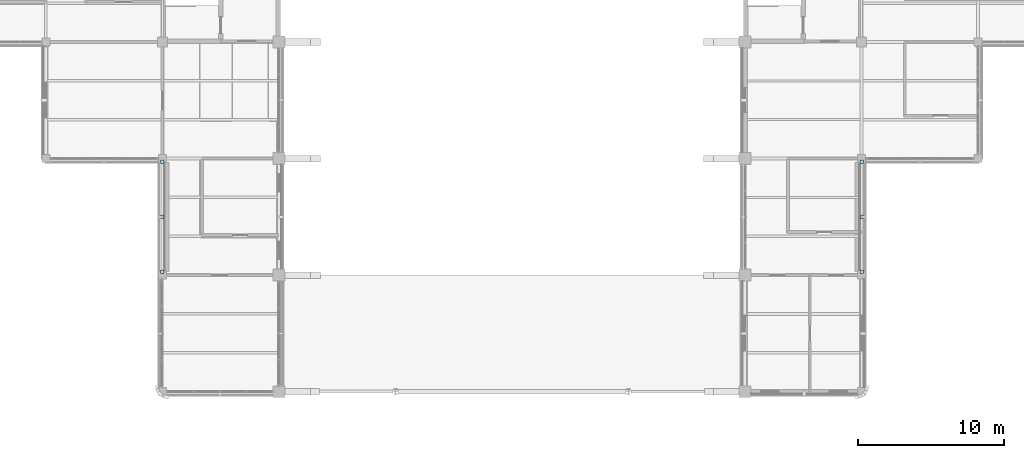
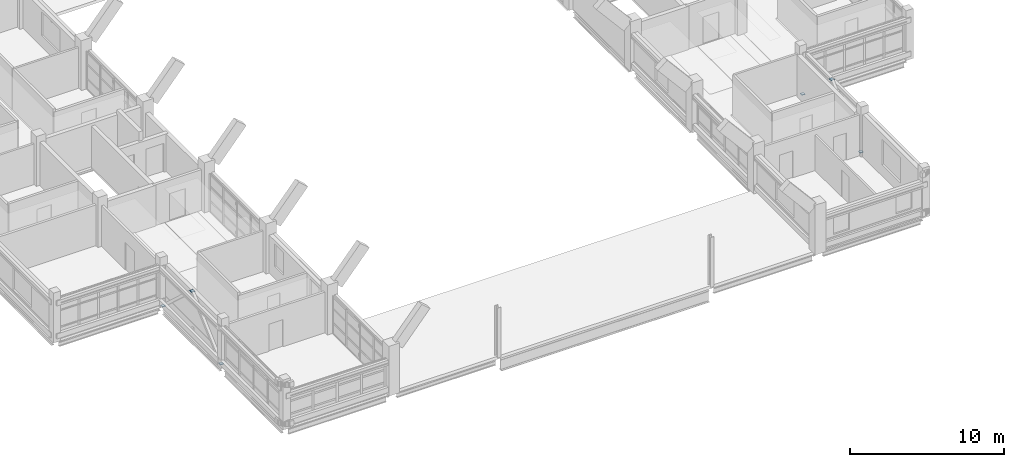
# One storey, part 61 of 92: 6 plates.
"""IFC4 building model written with IfcOpenShell, lengths in metres."""

from ifc_helpers import new_model, si_unit, derived_unit, direction, frame, origin, origin_2d, place, context, subcontext, project, spatial, rectangle, extrude, material, layer, layer_set, type_object, element, save


model = new_model("IFC4")

# Units and contexts
model_context = context("Model", 3, precision=1e-05, world=origin(), true_north=direction((0.0, 1.0)))
body_context = subcontext(model_context, "Body", "Model", "MODEL_VIEW")
ifc_project = project(units=[si_unit("LENGTHUNIT", "METRE"), si_unit("AREAUNIT", "SQUARE_METRE"), si_unit("VOLUMEUNIT", "CUBIC_METRE"), si_unit("PLANEANGLEUNIT", "RADIAN"), si_unit("MASSUNIT", "GRAM", prefix="KILO"), derived_unit("THERMALTRANSMITTANCEUNIT", [(si_unit("MASSUNIT", "GRAM", prefix="KILO"), 1), (si_unit("TIMEUNIT", "SECOND"), -3), (si_unit("THERMODYNAMICTEMPERATUREUNIT", "KELVIN"), -1)])], contexts=[model_context])

# Site, building, storey
site_placement = place(None, origin())
site = spatial("IfcSite", under=ifc_project, at=site_placement, CompositionType="ELEMENT")
building_placement = place(site_placement, origin())
building = spatial("IfcBuilding", under=site, at=building_placement, Name="Veyamyaing Civic Hall", CompositionType="ELEMENT")
storey_placement = place(building_placement, frame((0.0, 0.0, 17.820068359375)))
storey = spatial("IfcBuildingStorey", under=building, at=storey_placement, Name="L04", CompositionType="ELEMENT", Elevation=17.820068359375)

# Plates
ifc_material = material(Name="Steel S355J2", Category="steel")
ifc_layer = layer(ifc_material, 0.01806640625, Name="Steel S355J2")
ifc_layer_set = layer_set([ifc_layer], Name="Steel S355J2")
plate_type = type_object("IfcPlateType", Name="GP-02", PredefinedType="SHEET", material=ifc_layer_set)
for number, where, z_axis, x_axis, name in (
    (1, (64.0, 32.219970703125, 0.041015625), (0.0, 0.0, 1.0), (1.0, 0.0, 0.0), "Brace base gusset plate GP-02 BF-CW L04.L"),
    (2, (64.0, 39.780029296875, 0.041015625), (0.0, 0.0, 1.0), (1.0, 0.0, 0.0), "Brace base gusset plate GP-02 BF-CW L04.R"),
    (3, (64.0, 36.0, 3.5009765625), (0.0, 0.0, 1.0), (1.0, 0.0, 0.0), "Brace apex gusset plate GP-02 BF-CW L04"),
    (4, (112.0, 32.219970703125, 0.041015625), (0.0, 0.0, 1.0), (1.0, 0.0, 0.0), "Brace base gusset plate GP-02 BF-CE L04.L"),
    (5, (112.0, 39.780029296875, 0.041015625), (0.0, 0.0, 1.0), (1.0, 0.0, 0.0), "Brace base gusset plate GP-02 BF-CE L04.R"),
    (6, (112.0, 36.0, 3.5009765625), (0.0, 0.0, 1.0), (1.0, 0.0, 0.0), "Brace apex gusset plate GP-02 BF-CE L04"),
):
    element("IfcPlate", number, at=place(storey_placement, frame(where, z_axis=z_axis, x_axis=x_axis)), inside=storey, type_object=plate_type, Name=name, PredefinedType="SHEET", context=body_context, shape_type="SweptSolid", body=[
        extrude(rectangle(XDim=0.25, YDim=0.25, at=origin_2d()), origin(), (0.0, 0.0, 1.0), 0.01806640625),
    ])

save(model, "model.ifc")
